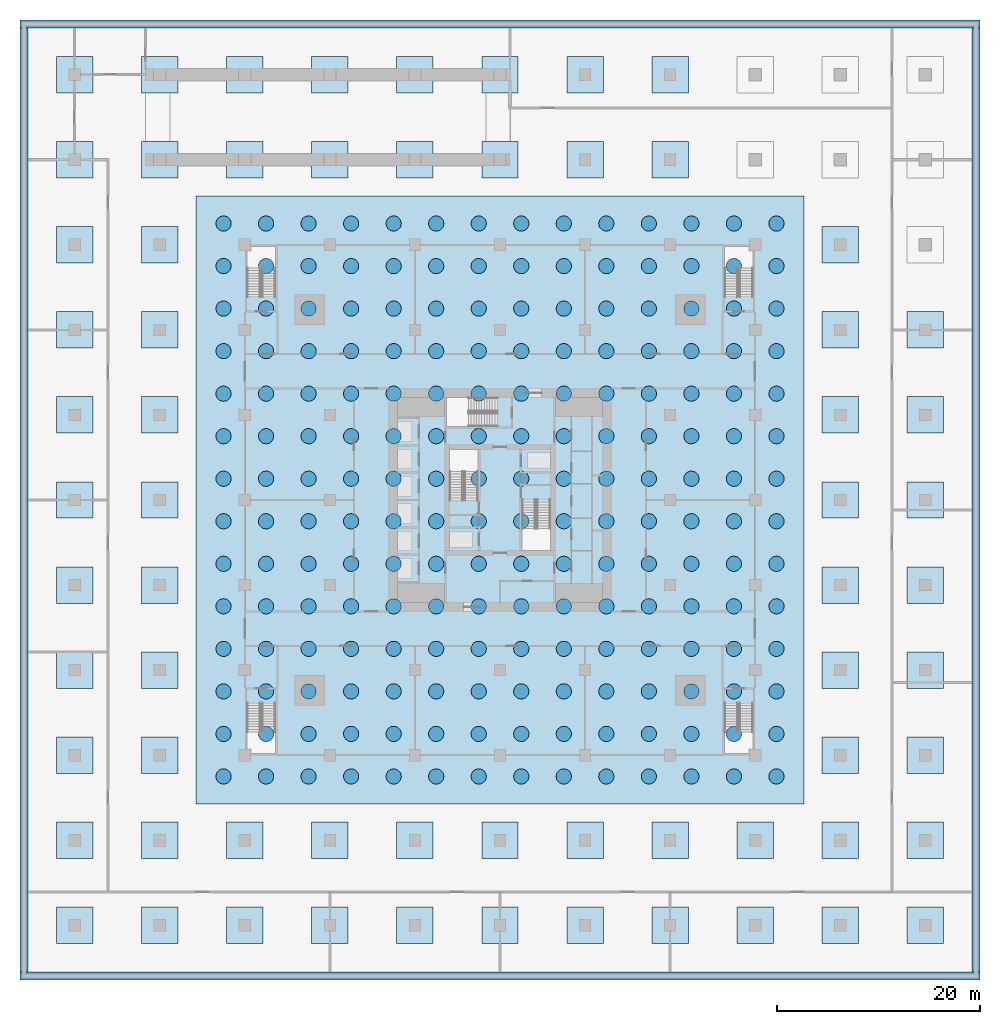
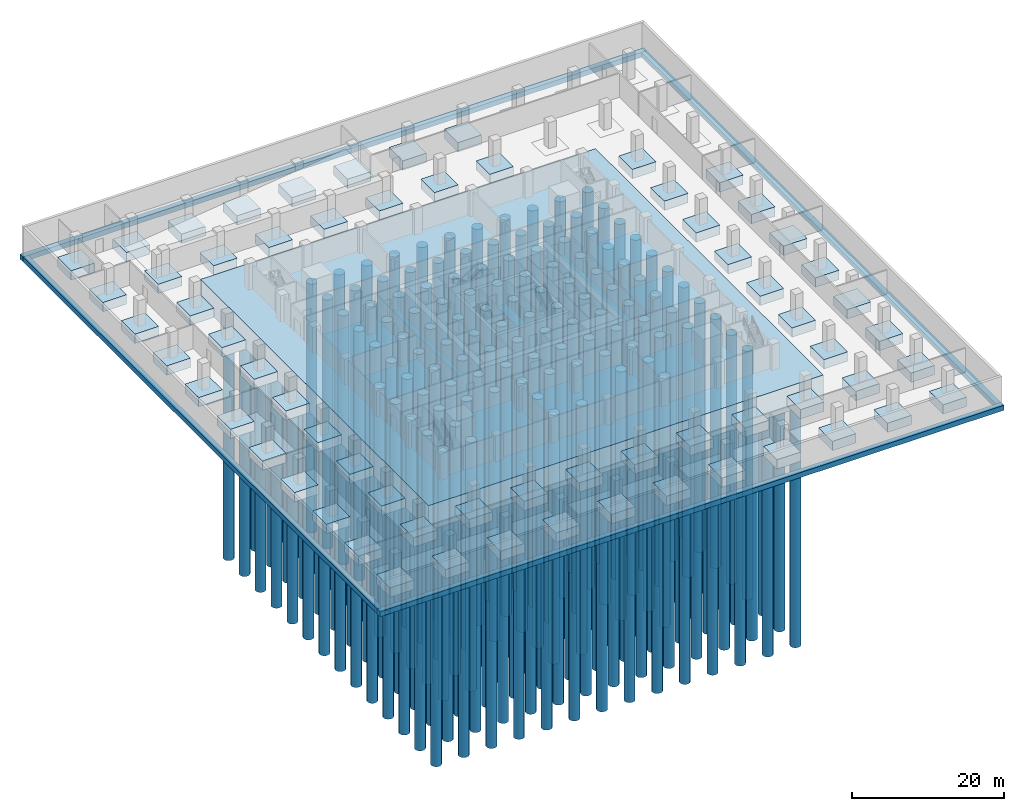
# One storey, part 1 of 19: 196 piles, 70 footings.
"""IFC4 building model written with IfcOpenShell, lengths in metres."""

from ifc_helpers import new_model, si_unit, direction, frame, origin, origin_2d, place, context, subcontext, project, spatial, polyline, rectangle, circle, outline, extrude, material, layer, layer_set, material_profile, profile_set, type_object, element, save


model = new_model("IFC4")

# Units and contexts
model_context = context("Model", 3, precision=1e-05, world=origin(), true_north=direction((0.0, 1.0)))
body_context = subcontext(model_context, "Body", "Model", "MODEL_VIEW")
ifc_project = project(units=[si_unit("LENGTHUNIT", "METRE"), si_unit("AREAUNIT", "SQUARE_METRE"), si_unit("VOLUMEUNIT", "CUBIC_METRE"), si_unit("PLANEANGLEUNIT", "RADIAN"), si_unit("MASSUNIT", "GRAM", prefix="KILO")], contexts=[model_context])

# Site, building, storey
site_placement = place(None, origin())
site = spatial("IfcSite", under=ifc_project, at=site_placement, CompositionType="ELEMENT")
building_placement = place(site_placement, origin())
building = spatial("IfcBuilding", under=site, at=building_placement, Name="Khepri Terraces", CompositionType="ELEMENT")
storey_placement = place(building_placement, frame((0.0, 0.0, -8.39990234375)))
storey = spatial("IfcBuildingStorey", under=building, at=storey_placement, Name="B2", CompositionType="ELEMENT", Elevation=-8.39990234375)

# Piles
ifc_material_1 = material(Name="Concrete C35/45", Category="concrete")
ifc_material_profile = material_profile(ifc_material_1, circle(Radius=0.75, at=origin_2d()), Name="Concrete C35/45", Category="concrete")
ifc_profile_set = profile_set([ifc_material_profile], Name="Concrete C35/45")
pile_type = type_object("IfcPileType", Name="Bored pile BP1", PredefinedType="BORED", material=ifc_profile_set)
for number, where, z_axis, x_axis, name in (
    (1, (-27.300048828125, -27.300048828125, -4.0), (0.0, 0.0, -1.0), (1.0, 0.0, 0.0), "Bored pile BP1 001"),
    (2, (-27.300048828125, -23.10009765625, -4.0), (0.0, 0.0, -1.0), (1.0, 0.0, 0.0), "Bored pile BP1 002"),
    (3, (-27.300048828125, -18.89990234375, -4.0), (0.0, 0.0, -1.0), (1.0, 0.0, 0.0), "Bored pile BP1 003"),
    (4, (-27.300048828125, -14.699951171875, -4.0), (0.0, 0.0, -1.0), (1.0, 0.0, 0.0), "Bored pile BP1 004"),
    (5, (-27.300048828125, -10.5, -4.0), (0.0, 0.0, -1.0), (1.0, 0.0, 0.0), "Bored pile BP1 005"),
    (6, (-27.300048828125, -6.300048828125, -4.0), (0.0, 0.0, -1.0), (1.0, 0.0, 0.0), "Bored pile BP1 006"),
    (7, (-27.300048828125, -2.10009765625, -4.0), (0.0, 0.0, -1.0), (1.0, 0.0, 0.0), "Bored pile BP1 007"),
    (8, (-27.300048828125, 2.10009765625, -4.0), (0.0, 0.0, -1.0), (1.0, 0.0, 0.0), "Bored pile BP1 008"),
    (9, (-27.300048828125, 6.300048828125, -4.0), (0.0, 0.0, -1.0), (1.0, 0.0, 0.0), "Bored pile BP1 009"),
    (10, (-27.300048828125, 10.5, -4.0), (0.0, 0.0, -1.0), (1.0, 0.0, 0.0), "Bored pile BP1 010"),
    (11, (-27.300048828125, 14.699951171875, -4.0), (0.0, 0.0, -1.0), (1.0, 0.0, 0.0), "Bored pile BP1 011"),
    (12, (-27.300048828125, 18.89990234375, -4.0), (0.0, 0.0, -1.0), (1.0, 0.0, 0.0), "Bored pile BP1 012"),
    (13, (-27.300048828125, 23.10009765625, -4.0), (0.0, 0.0, -1.0), (1.0, 0.0, 0.0), "Bored pile BP1 013"),
    (14, (-27.300048828125, 27.300048828125, -4.0), (0.0, 0.0, -1.0), (1.0, 0.0, 0.0), "Bored pile BP1 014"),
    (15, (-23.10009765625, -27.300048828125, -4.0), (0.0, 0.0, -1.0), (1.0, 0.0, 0.0), "Bored pile BP1 015"),
    (16, (-23.10009765625, -23.10009765625, -4.0), (0.0, 0.0, -1.0), (1.0, 0.0, 0.0), "Bored pile BP1 016"),
    (17, (-23.10009765625, -18.89990234375, -4.0), (0.0, 0.0, -1.0), (1.0, 0.0, 0.0), "Bored pile BP1 017"),
    (18, (-23.10009765625, -14.699951171875, -4.0), (0.0, 0.0, -1.0), (1.0, 0.0, 0.0), "Bored pile BP1 018"),
    (19, (-23.10009765625, -10.5, -4.0), (0.0, 0.0, -1.0), (1.0, 0.0, 0.0), "Bored pile BP1 019"),
    (20, (-23.10009765625, -6.300048828125, -4.0), (0.0, 0.0, -1.0), (1.0, 0.0, 0.0), "Bored pile BP1 020"),
    (21, (-23.10009765625, -2.10009765625, -4.0), (0.0, 0.0, -1.0), (1.0, 0.0, 0.0), "Bored pile BP1 021"),
    (22, (-23.10009765625, 2.10009765625, -4.0), (0.0, 0.0, -1.0), (1.0, 0.0, 0.0), "Bored pile BP1 022"),
    (23, (-23.10009765625, 6.300048828125, -4.0), (0.0, 0.0, -1.0), (1.0, 0.0, 0.0), "Bored pile BP1 023"),
    (24, (-23.10009765625, 10.5, -4.0), (0.0, 0.0, -1.0), (1.0, 0.0, 0.0), "Bored pile BP1 024"),
    (25, (-23.10009765625, 14.699951171875, -4.0), (0.0, 0.0, -1.0), (1.0, 0.0, 0.0), "Bored pile BP1 025"),
    (26, (-23.10009765625, 18.89990234375, -4.0), (0.0, 0.0, -1.0), (1.0, 0.0, 0.0), "Bored pile BP1 026"),
    (27, (-23.10009765625, 23.10009765625, -4.0), (0.0, 0.0, -1.0), (1.0, 0.0, 0.0), "Bored pile BP1 027"),
    (28, (-23.10009765625, 27.300048828125, -4.0), (0.0, 0.0, -1.0), (1.0, 0.0, 0.0), "Bored pile BP1 028"),
    (29, (-18.89990234375, -27.300048828125, -4.0), (0.0, 0.0, -1.0), (1.0, 0.0, 0.0), "Bored pile BP1 029"),
    (30, (-18.89990234375, -23.10009765625, -4.0), (0.0, 0.0, -1.0), (1.0, 0.0, 0.0), "Bored pile BP1 030"),
    (31, (-18.89990234375, -18.89990234375, -4.0), (0.0, 0.0, -1.0), (1.0, 0.0, 0.0), "Bored pile BP1 031"),
    (32, (-18.89990234375, -14.699951171875, -4.0), (0.0, 0.0, -1.0), (1.0, 0.0, 0.0), "Bored pile BP1 032"),
    (33, (-18.89990234375, -10.5, -4.0), (0.0, 0.0, -1.0), (1.0, 0.0, 0.0), "Bored pile BP1 033"),
    (34, (-18.89990234375, -6.300048828125, -4.0), (0.0, 0.0, -1.0), (1.0, 0.0, 0.0), "Bored pile BP1 034"),
    (35, (-18.89990234375, -2.10009765625, -4.0), (0.0, 0.0, -1.0), (1.0, 0.0, 0.0), "Bored pile BP1 035"),
    (36, (-18.89990234375, 2.10009765625, -4.0), (0.0, 0.0, -1.0), (1.0, 0.0, 0.0), "Bored pile BP1 036"),
    (37, (-18.89990234375, 6.300048828125, -4.0), (0.0, 0.0, -1.0), (1.0, 0.0, 0.0), "Bored pile BP1 037"),
    (38, (-18.89990234375, 10.5, -4.0), (0.0, 0.0, -1.0), (1.0, 0.0, 0.0), "Bored pile BP1 038"),
    (39, (-18.89990234375, 14.699951171875, -4.0), (0.0, 0.0, -1.0), (1.0, 0.0, 0.0), "Bored pile BP1 039"),
    (40, (-18.89990234375, 18.89990234375, -4.0), (0.0, 0.0, -1.0), (1.0, 0.0, 0.0), "Bored pile BP1 040"),
    (41, (-18.89990234375, 23.10009765625, -4.0), (0.0, 0.0, -1.0), (1.0, 0.0, 0.0), "Bored pile BP1 041"),
    (42, (-18.89990234375, 27.300048828125, -4.0), (0.0, 0.0, -1.0), (1.0, 0.0, 0.0), "Bored pile BP1 042"),
    (43, (-14.699951171875, -27.300048828125, -4.0), (0.0, 0.0, -1.0), (1.0, 0.0, 0.0), "Bored pile BP1 043"),
    (44, (-14.699951171875, -23.10009765625, -4.0), (0.0, 0.0, -1.0), (1.0, 0.0, 0.0), "Bored pile BP1 044"),
    (45, (-14.699951171875, -18.89990234375, -4.0), (0.0, 0.0, -1.0), (1.0, 0.0, 0.0), "Bored pile BP1 045"),
    (46, (-14.699951171875, -14.699951171875, -4.0), (0.0, 0.0, -1.0), (1.0, 0.0, 0.0), "Bored pile BP1 046"),
    (47, (-14.699951171875, -10.5, -4.0), (0.0, 0.0, -1.0), (1.0, 0.0, 0.0), "Bored pile BP1 047"),
    (48, (-14.699951171875, -6.300048828125, -4.0), (0.0, 0.0, -1.0), (1.0, 0.0, 0.0), "Bored pile BP1 048"),
    (49, (-14.699951171875, -2.10009765625, -4.0), (0.0, 0.0, -1.0), (1.0, 0.0, 0.0), "Bored pile BP1 049"),
    (50, (-14.699951171875, 2.10009765625, -4.0), (0.0, 0.0, -1.0), (1.0, 0.0, 0.0), "Bored pile BP1 050"),
    (51, (-14.699951171875, 6.300048828125, -4.0), (0.0, 0.0, -1.0), (1.0, 0.0, 0.0), "Bored pile BP1 051"),
    (52, (-14.699951171875, 10.5, -4.0), (0.0, 0.0, -1.0), (1.0, 0.0, 0.0), "Bored pile BP1 052"),
    (53, (-14.699951171875, 14.699951171875, -4.0), (0.0, 0.0, -1.0), (1.0, 0.0, 0.0), "Bored pile BP1 053"),
    (54, (-14.699951171875, 18.89990234375, -4.0), (0.0, 0.0, -1.0), (1.0, 0.0, 0.0), "Bored pile BP1 054"),
    (55, (-14.699951171875, 23.10009765625, -4.0), (0.0, 0.0, -1.0), (1.0, 0.0, 0.0), "Bored pile BP1 055"),
    (56, (-14.699951171875, 27.300048828125, -4.0), (0.0, 0.0, -1.0), (1.0, 0.0, 0.0), "Bored pile BP1 056"),
    (57, (-10.5, -27.300048828125, -4.0), (0.0, 0.0, -1.0), (1.0, 0.0, 0.0), "Bored pile BP1 057"),
    (58, (-10.5, -23.10009765625, -4.0), (0.0, 0.0, -1.0), (1.0, 0.0, 0.0), "Bored pile BP1 058"),
    (59, (-10.5, -18.89990234375, -4.0), (0.0, 0.0, -1.0), (1.0, 0.0, 0.0), "Bored pile BP1 059"),
    (60, (-10.5, -14.699951171875, -4.0), (0.0, 0.0, -1.0), (1.0, 0.0, 0.0), "Bored pile BP1 060"),
    (61, (-10.5, -10.5, -4.0), (0.0, 0.0, -1.0), (1.0, 0.0, 0.0), "Bored pile BP1 061"),
    (62, (-10.5, -6.300048828125, -4.0), (0.0, 0.0, -1.0), (1.0, 0.0, 0.0), "Bored pile BP1 062"),
    (63, (-10.5, -2.10009765625, -4.0), (0.0, 0.0, -1.0), (1.0, 0.0, 0.0), "Bored pile BP1 063"),
    (64, (-10.5, 2.10009765625, -4.0), (0.0, 0.0, -1.0), (1.0, 0.0, 0.0), "Bored pile BP1 064"),
    (65, (-10.5, 6.300048828125, -4.0), (0.0, 0.0, -1.0), (1.0, 0.0, 0.0), "Bored pile BP1 065"),
    (66, (-10.5, 10.5, -4.0), (0.0, 0.0, -1.0), (1.0, 0.0, 0.0), "Bored pile BP1 066"),
    (67, (-10.5, 14.699951171875, -4.0), (0.0, 0.0, -1.0), (1.0, 0.0, 0.0), "Bored pile BP1 067"),
    (68, (-10.5, 18.89990234375, -4.0), (0.0, 0.0, -1.0), (1.0, 0.0, 0.0), "Bored pile BP1 068"),
    (69, (-10.5, 23.10009765625, -4.0), (0.0, 0.0, -1.0), (1.0, 0.0, 0.0), "Bored pile BP1 069"),
    (70, (-10.5, 27.300048828125, -4.0), (0.0, 0.0, -1.0), (1.0, 0.0, 0.0), "Bored pile BP1 070"),
    (71, (-6.300048828125, -27.300048828125, -4.0), (0.0, 0.0, -1.0), (1.0, 0.0, 0.0), "Bored pile BP1 071"),
    (72, (-6.300048828125, -23.10009765625, -4.0), (0.0, 0.0, -1.0), (1.0, 0.0, 0.0), "Bored pile BP1 072"),
    (73, (-6.300048828125, -18.89990234375, -4.0), (0.0, 0.0, -1.0), (1.0, 0.0, 0.0), "Bored pile BP1 073"),
    (74, (-6.300048828125, -14.699951171875, -4.0), (0.0, 0.0, -1.0), (1.0, 0.0, 0.0), "Bored pile BP1 074"),
    (75, (-6.300048828125, -10.5, -4.0), (0.0, 0.0, -1.0), (1.0, 0.0, 0.0), "Bored pile BP1 075"),
    (76, (-6.300048828125, -6.300048828125, -4.0), (0.0, 0.0, -1.0), (1.0, 0.0, 0.0), "Bored pile BP1 076"),
    (77, (-6.300048828125, -2.10009765625, -4.0), (0.0, 0.0, -1.0), (1.0, 0.0, 0.0), "Bored pile BP1 077"),
    (78, (-6.300048828125, 2.10009765625, -4.0), (0.0, 0.0, -1.0), (1.0, 0.0, 0.0), "Bored pile BP1 078"),
    (79, (-6.300048828125, 6.300048828125, -4.0), (0.0, 0.0, -1.0), (1.0, 0.0, 0.0), "Bored pile BP1 079"),
    (80, (-6.300048828125, 10.5, -4.0), (0.0, 0.0, -1.0), (1.0, 0.0, 0.0), "Bored pile BP1 080"),
    (81, (-6.300048828125, 14.699951171875, -4.0), (0.0, 0.0, -1.0), (1.0, 0.0, 0.0), "Bored pile BP1 081"),
    (82, (-6.300048828125, 18.89990234375, -4.0), (0.0, 0.0, -1.0), (1.0, 0.0, 0.0), "Bored pile BP1 082"),
    (83, (-6.300048828125, 23.10009765625, -4.0), (0.0, 0.0, -1.0), (1.0, 0.0, 0.0), "Bored pile BP1 083"),
    (84, (-6.300048828125, 27.300048828125, -4.0), (0.0, 0.0, -1.0), (1.0, 0.0, 0.0), "Bored pile BP1 084"),
    (85, (-2.10009765625, -27.300048828125, -4.0), (0.0, 0.0, -1.0), (1.0, 0.0, 0.0), "Bored pile BP1 085"),
    (86, (-2.10009765625, -23.10009765625, -4.0), (0.0, 0.0, -1.0), (1.0, 0.0, 0.0), "Bored pile BP1 086"),
    (87, (-2.10009765625, -18.89990234375, -4.0), (0.0, 0.0, -1.0), (1.0, 0.0, 0.0), "Bored pile BP1 087"),
    (88, (-2.10009765625, -14.699951171875, -4.0), (0.0, 0.0, -1.0), (1.0, 0.0, 0.0), "Bored pile BP1 088"),
    (89, (-2.10009765625, -10.5, -4.0), (0.0, 0.0, -1.0), (1.0, 0.0, 0.0), "Bored pile BP1 089"),
    (90, (-2.10009765625, -6.300048828125, -4.0), (0.0, 0.0, -1.0), (1.0, 0.0, 0.0), "Bored pile BP1 090"),
    (91, (-2.10009765625, -2.10009765625, -4.0), (0.0, 0.0, -1.0), (1.0, 0.0, 0.0), "Bored pile BP1 091"),
    (92, (-2.10009765625, 2.10009765625, -4.0), (0.0, 0.0, -1.0), (1.0, 0.0, 0.0), "Bored pile BP1 092"),
    (93, (-2.10009765625, 6.300048828125, -4.0), (0.0, 0.0, -1.0), (1.0, 0.0, 0.0), "Bored pile BP1 093"),
    (94, (-2.10009765625, 10.5, -4.0), (0.0, 0.0, -1.0), (1.0, 0.0, 0.0), "Bored pile BP1 094"),
    (95, (-2.10009765625, 14.699951171875, -4.0), (0.0, 0.0, -1.0), (1.0, 0.0, 0.0), "Bored pile BP1 095"),
    (96, (-2.10009765625, 18.89990234375, -4.0), (0.0, 0.0, -1.0), (1.0, 0.0, 0.0), "Bored pile BP1 096"),
    (97, (-2.10009765625, 23.10009765625, -4.0), (0.0, 0.0, -1.0), (1.0, 0.0, 0.0), "Bored pile BP1 097"),
    (98, (-2.10009765625, 27.300048828125, -4.0), (0.0, 0.0, -1.0), (1.0, 0.0, 0.0), "Bored pile BP1 098"),
    (99, (2.10009765625, -27.300048828125, -4.0), (0.0, 0.0, -1.0), (1.0, 0.0, 0.0), "Bored pile BP1 099"),
    (100, (2.10009765625, -23.10009765625, -4.0), (0.0, 0.0, -1.0), (1.0, 0.0, 0.0), "Bored pile BP1 100"),
    (101, (2.10009765625, -18.89990234375, -4.0), (0.0, 0.0, -1.0), (1.0, 0.0, 0.0), "Bored pile BP1 101"),
    (102, (2.10009765625, -14.699951171875, -4.0), (0.0, 0.0, -1.0), (1.0, 0.0, 0.0), "Bored pile BP1 102"),
    (103, (2.10009765625, -10.5, -4.0), (0.0, 0.0, -1.0), (1.0, 0.0, 0.0), "Bored pile BP1 103"),
    (104, (2.10009765625, -6.300048828125, -4.0), (0.0, 0.0, -1.0), (1.0, 0.0, 0.0), "Bored pile BP1 104"),
    (105, (2.10009765625, -2.10009765625, -4.0), (0.0, 0.0, -1.0), (1.0, 0.0, 0.0), "Bored pile BP1 105"),
    (106, (2.10009765625, 2.10009765625, -4.0), (0.0, 0.0, -1.0), (1.0, 0.0, 0.0), "Bored pile BP1 106"),
    (107, (2.10009765625, 6.300048828125, -4.0), (0.0, 0.0, -1.0), (1.0, 0.0, 0.0), "Bored pile BP1 107"),
    (108, (2.10009765625, 10.5, -4.0), (0.0, 0.0, -1.0), (1.0, 0.0, 0.0), "Bored pile BP1 108"),
    (109, (2.10009765625, 14.699951171875, -4.0), (0.0, 0.0, -1.0), (1.0, 0.0, 0.0), "Bored pile BP1 109"),
    (110, (2.10009765625, 18.89990234375, -4.0), (0.0, 0.0, -1.0), (1.0, 0.0, 0.0), "Bored pile BP1 110"),
    (111, (2.10009765625, 23.10009765625, -4.0), (0.0, 0.0, -1.0), (1.0, 0.0, 0.0), "Bored pile BP1 111"),
    (112, (2.10009765625, 27.300048828125, -4.0), (0.0, 0.0, -1.0), (1.0, 0.0, 0.0), "Bored pile BP1 112"),
    (113, (6.300048828125, -27.300048828125, -4.0), (0.0, 0.0, -1.0), (1.0, 0.0, 0.0), "Bored pile BP1 113"),
    (114, (6.300048828125, -23.10009765625, -4.0), (0.0, 0.0, -1.0), (1.0, 0.0, 0.0), "Bored pile BP1 114"),
    (115, (6.300048828125, -18.89990234375, -4.0), (0.0, 0.0, -1.0), (1.0, 0.0, 0.0), "Bored pile BP1 115"),
    (116, (6.300048828125, -14.699951171875, -4.0), (0.0, 0.0, -1.0), (1.0, 0.0, 0.0), "Bored pile BP1 116"),
    (117, (6.300048828125, -10.5, -4.0), (0.0, 0.0, -1.0), (1.0, 0.0, 0.0), "Bored pile BP1 117"),
    (118, (6.300048828125, -6.300048828125, -4.0), (0.0, 0.0, -1.0), (1.0, 0.0, 0.0), "Bored pile BP1 118"),
    (119, (6.300048828125, -2.10009765625, -4.0), (0.0, 0.0, -1.0), (1.0, 0.0, 0.0), "Bored pile BP1 119"),
    (120, (6.300048828125, 2.10009765625, -4.0), (0.0, 0.0, -1.0), (1.0, 0.0, 0.0), "Bored pile BP1 120"),
    (121, (6.300048828125, 6.300048828125, -4.0), (0.0, 0.0, -1.0), (1.0, 0.0, 0.0), "Bored pile BP1 121"),
    (122, (6.300048828125, 10.5, -4.0), (0.0, 0.0, -1.0), (1.0, 0.0, 0.0), "Bored pile BP1 122"),
    (123, (6.300048828125, 14.699951171875, -4.0), (0.0, 0.0, -1.0), (1.0, 0.0, 0.0), "Bored pile BP1 123"),
    (124, (6.300048828125, 18.89990234375, -4.0), (0.0, 0.0, -1.0), (1.0, 0.0, 0.0), "Bored pile BP1 124"),
    (125, (6.300048828125, 23.10009765625, -4.0), (0.0, 0.0, -1.0), (1.0, 0.0, 0.0), "Bored pile BP1 125"),
    (126, (6.300048828125, 27.300048828125, -4.0), (0.0, 0.0, -1.0), (1.0, 0.0, 0.0), "Bored pile BP1 126"),
    (127, (10.5, -27.300048828125, -4.0), (0.0, 0.0, -1.0), (1.0, 0.0, 0.0), "Bored pile BP1 127"),
    (128, (10.5, -23.10009765625, -4.0), (0.0, 0.0, -1.0), (1.0, 0.0, 0.0), "Bored pile BP1 128"),
    (129, (10.5, -18.89990234375, -4.0), (0.0, 0.0, -1.0), (1.0, 0.0, 0.0), "Bored pile BP1 129"),
    (130, (10.5, -14.699951171875, -4.0), (0.0, 0.0, -1.0), (1.0, 0.0, 0.0), "Bored pile BP1 130"),
    (131, (10.5, -10.5, -4.0), (0.0, 0.0, -1.0), (1.0, 0.0, 0.0), "Bored pile BP1 131"),
    (132, (10.5, -6.300048828125, -4.0), (0.0, 0.0, -1.0), (1.0, 0.0, 0.0), "Bored pile BP1 132"),
    (133, (10.5, -2.10009765625, -4.0), (0.0, 0.0, -1.0), (1.0, 0.0, 0.0), "Bored pile BP1 133"),
    (134, (10.5, 2.10009765625, -4.0), (0.0, 0.0, -1.0), (1.0, 0.0, 0.0), "Bored pile BP1 134"),
    (135, (10.5, 6.300048828125, -4.0), (0.0, 0.0, -1.0), (1.0, 0.0, 0.0), "Bored pile BP1 135"),
    (136, (10.5, 10.5, -4.0), (0.0, 0.0, -1.0), (1.0, 0.0, 0.0), "Bored pile BP1 136"),
    (137, (10.5, 14.699951171875, -4.0), (0.0, 0.0, -1.0), (1.0, 0.0, 0.0), "Bored pile BP1 137"),
    (138, (10.5, 18.89990234375, -4.0), (0.0, 0.0, -1.0), (1.0, 0.0, 0.0), "Bored pile BP1 138"),
    (139, (10.5, 23.10009765625, -4.0), (0.0, 0.0, -1.0), (1.0, 0.0, 0.0), "Bored pile BP1 139"),
    (140, (10.5, 27.300048828125, -4.0), (0.0, 0.0, -1.0), (1.0, 0.0, 0.0), "Bored pile BP1 140"),
    (141, (14.699951171875, -27.300048828125, -4.0), (0.0, 0.0, -1.0), (1.0, 0.0, 0.0), "Bored pile BP1 141"),
    (142, (14.699951171875, -23.10009765625, -4.0), (0.0, 0.0, -1.0), (1.0, 0.0, 0.0), "Bored pile BP1 142"),
    (143, (14.699951171875, -18.89990234375, -4.0), (0.0, 0.0, -1.0), (1.0, 0.0, 0.0), "Bored pile BP1 143"),
    (144, (14.699951171875, -14.699951171875, -4.0), (0.0, 0.0, -1.0), (1.0, 0.0, 0.0), "Bored pile BP1 144"),
    (145, (14.699951171875, -10.5, -4.0), (0.0, 0.0, -1.0), (1.0, 0.0, 0.0), "Bored pile BP1 145"),
    (146, (14.699951171875, -6.300048828125, -4.0), (0.0, 0.0, -1.0), (1.0, 0.0, 0.0), "Bored pile BP1 146"),
    (147, (14.699951171875, -2.10009765625, -4.0), (0.0, 0.0, -1.0), (1.0, 0.0, 0.0), "Bored pile BP1 147"),
    (148, (14.699951171875, 2.10009765625, -4.0), (0.0, 0.0, -1.0), (1.0, 0.0, 0.0), "Bored pile BP1 148"),
    (149, (14.699951171875, 6.300048828125, -4.0), (0.0, 0.0, -1.0), (1.0, 0.0, 0.0), "Bored pile BP1 149"),
    (150, (14.699951171875, 10.5, -4.0), (0.0, 0.0, -1.0), (1.0, 0.0, 0.0), "Bored pile BP1 150"),
    (151, (14.699951171875, 14.699951171875, -4.0), (0.0, 0.0, -1.0), (1.0, 0.0, 0.0), "Bored pile BP1 151"),
    (152, (14.699951171875, 18.89990234375, -4.0), (0.0, 0.0, -1.0), (1.0, 0.0, 0.0), "Bored pile BP1 152"),
    (153, (14.699951171875, 23.10009765625, -4.0), (0.0, 0.0, -1.0), (1.0, 0.0, 0.0), "Bored pile BP1 153"),
    (154, (14.699951171875, 27.300048828125, -4.0), (0.0, 0.0, -1.0), (1.0, 0.0, 0.0), "Bored pile BP1 154"),
    (155, (18.89990234375, -27.300048828125, -4.0), (0.0, 0.0, -1.0), (1.0, 0.0, 0.0), "Bored pile BP1 155"),
    (156, (18.89990234375, -23.10009765625, -4.0), (0.0, 0.0, -1.0), (1.0, 0.0, 0.0), "Bored pile BP1 156"),
    (157, (18.89990234375, -18.89990234375, -4.0), (0.0, 0.0, -1.0), (1.0, 0.0, 0.0), "Bored pile BP1 157"),
    (158, (18.89990234375, -14.699951171875, -4.0), (0.0, 0.0, -1.0), (1.0, 0.0, 0.0), "Bored pile BP1 158"),
    (159, (18.89990234375, -10.5, -4.0), (0.0, 0.0, -1.0), (1.0, 0.0, 0.0), "Bored pile BP1 159"),
    (160, (18.89990234375, -6.300048828125, -4.0), (0.0, 0.0, -1.0), (1.0, 0.0, 0.0), "Bored pile BP1 160"),
    (161, (18.89990234375, -2.10009765625, -4.0), (0.0, 0.0, -1.0), (1.0, 0.0, 0.0), "Bored pile BP1 161"),
    (162, (18.89990234375, 2.10009765625, -4.0), (0.0, 0.0, -1.0), (1.0, 0.0, 0.0), "Bored pile BP1 162"),
    (163, (18.89990234375, 6.300048828125, -4.0), (0.0, 0.0, -1.0), (1.0, 0.0, 0.0), "Bored pile BP1 163"),
    (164, (18.89990234375, 10.5, -4.0), (0.0, 0.0, -1.0), (1.0, 0.0, 0.0), "Bored pile BP1 164"),
    (165, (18.89990234375, 14.699951171875, -4.0), (0.0, 0.0, -1.0), (1.0, 0.0, 0.0), "Bored pile BP1 165"),
    (166, (18.89990234375, 18.89990234375, -4.0), (0.0, 0.0, -1.0), (1.0, 0.0, 0.0), "Bored pile BP1 166"),
    (167, (18.89990234375, 23.10009765625, -4.0), (0.0, 0.0, -1.0), (1.0, 0.0, 0.0), "Bored pile BP1 167"),
    (168, (18.89990234375, 27.300048828125, -4.0), (0.0, 0.0, -1.0), (1.0, 0.0, 0.0), "Bored pile BP1 168"),
    (169, (23.10009765625, -27.300048828125, -4.0), (0.0, 0.0, -1.0), (1.0, 0.0, 0.0), "Bored pile BP1 169"),
    (170, (23.10009765625, -23.10009765625, -4.0), (0.0, 0.0, -1.0), (1.0, 0.0, 0.0), "Bored pile BP1 170"),
    (171, (23.10009765625, -18.89990234375, -4.0), (0.0, 0.0, -1.0), (1.0, 0.0, 0.0), "Bored pile BP1 171"),
    (172, (23.10009765625, -14.699951171875, -4.0), (0.0, 0.0, -1.0), (1.0, 0.0, 0.0), "Bored pile BP1 172"),
    (173, (23.10009765625, -10.5, -4.0), (0.0, 0.0, -1.0), (1.0, 0.0, 0.0), "Bored pile BP1 173"),
    (174, (23.10009765625, -6.300048828125, -4.0), (0.0, 0.0, -1.0), (1.0, 0.0, 0.0), "Bored pile BP1 174"),
    (175, (23.10009765625, -2.10009765625, -4.0), (0.0, 0.0, -1.0), (1.0, 0.0, 0.0), "Bored pile BP1 175"),
    (176, (23.10009765625, 2.10009765625, -4.0), (0.0, 0.0, -1.0), (1.0, 0.0, 0.0), "Bored pile BP1 176"),
    (177, (23.10009765625, 6.300048828125, -4.0), (0.0, 0.0, -1.0), (1.0, 0.0, 0.0), "Bored pile BP1 177"),
    (178, (23.10009765625, 10.5, -4.0), (0.0, 0.0, -1.0), (1.0, 0.0, 0.0), "Bored pile BP1 178"),
    (179, (23.10009765625, 14.699951171875, -4.0), (0.0, 0.0, -1.0), (1.0, 0.0, 0.0), "Bored pile BP1 179"),
    (180, (23.10009765625, 18.89990234375, -4.0), (0.0, 0.0, -1.0), (1.0, 0.0, 0.0), "Bored pile BP1 180"),
    (181, (23.10009765625, 23.10009765625, -4.0), (0.0, 0.0, -1.0), (1.0, 0.0, 0.0), "Bored pile BP1 181"),
    (182, (23.10009765625, 27.300048828125, -4.0), (0.0, 0.0, -1.0), (1.0, 0.0, 0.0), "Bored pile BP1 182"),
    (183, (27.300048828125, -27.300048828125, -4.0), (0.0, 0.0, -1.0), (1.0, 0.0, 0.0), "Bored pile BP1 183"),
    (184, (27.300048828125, -23.10009765625, -4.0), (0.0, 0.0, -1.0), (1.0, 0.0, 0.0), "Bored pile BP1 184"),
    (185, (27.300048828125, -18.89990234375, -4.0), (0.0, 0.0, -1.0), (1.0, 0.0, 0.0), "Bored pile BP1 185"),
    (186, (27.300048828125, -14.699951171875, -4.0), (0.0, 0.0, -1.0), (1.0, 0.0, 0.0), "Bored pile BP1 186"),
    (187, (27.300048828125, -10.5, -4.0), (0.0, 0.0, -1.0), (1.0, 0.0, 0.0), "Bored pile BP1 187"),
    (188, (27.300048828125, -6.300048828125, -4.0), (0.0, 0.0, -1.0), (1.0, 0.0, 0.0), "Bored pile BP1 188"),
    (189, (27.300048828125, -2.10009765625, -4.0), (0.0, 0.0, -1.0), (1.0, 0.0, 0.0), "Bored pile BP1 189"),
    (190, (27.300048828125, 2.10009765625, -4.0), (0.0, 0.0, -1.0), (1.0, 0.0, 0.0), "Bored pile BP1 190"),
    (191, (27.300048828125, 6.300048828125, -4.0), (0.0, 0.0, -1.0), (1.0, 0.0, 0.0), "Bored pile BP1 191"),
    (192, (27.300048828125, 10.5, -4.0), (0.0, 0.0, -1.0), (1.0, 0.0, 0.0), "Bored pile BP1 192"),
    (193, (27.300048828125, 14.699951171875, -4.0), (0.0, 0.0, -1.0), (1.0, 0.0, 0.0), "Bored pile BP1 193"),
    (194, (27.300048828125, 18.89990234375, -4.0), (0.0, 0.0, -1.0), (1.0, 0.0, 0.0), "Bored pile BP1 194"),
    (195, (27.300048828125, 23.10009765625, -4.0), (0.0, 0.0, -1.0), (1.0, 0.0, 0.0), "Bored pile BP1 195"),
    (196, (27.300048828125, 27.300048828125, -4.0), (0.0, 0.0, -1.0), (1.0, 0.0, 0.0), "Bored pile BP1 196"),
):
    element("IfcPile", number, at=place(storey_placement, frame(where, z_axis=z_axis, x_axis=x_axis)), inside=storey, type_object=pile_type, Name=name, PredefinedType="BORED", context=body_context, shape_type="SweptSolid", body=[
        extrude(circle(Radius=0.75, at=origin_2d()), origin(), (0.0, 0.0, 1.0), 40.0),
    ])

# Footings
ifc_material_2 = material(Name="Concrete C45/55", Category="concrete")
footing_type_1 = type_object("IfcFootingType", Name="Pad footing PF1", PredefinedType="PAD_FOOTING", material=ifc_material_2)
for number, where, z_axis, x_axis, name in (
    (197, (-42.0, -42.0, -1.5), (0.0, 0.0, 1.0), (1.0, 0.0, 0.0), "Pad footing PF1 G-420-420"),
    (198, (-42.0, -33.60009765625, -1.5), (0.0, 0.0, 1.0), (1.0, 0.0, 0.0), "Pad footing PF1 G-420-336"),
    (199, (-42.0, -25.199951171875, -1.5), (0.0, 0.0, 1.0), (1.0, 0.0, 0.0), "Pad footing PF1 G-420-252"),
    (200, (-42.0, -16.800048828125, -1.5), (0.0, 0.0, 1.0), (1.0, 0.0, 0.0), "Pad footing PF1 G-420-168"),
    (201, (-42.0, -8.39990234375, -1.5), (0.0, 0.0, 1.0), (1.0, 0.0, 0.0), "Pad footing PF1 G-420-084"),
    (202, (-42.0, 0.0, -1.5), (0.0, 0.0, 1.0), (1.0, 0.0, 0.0), "Pad footing PF1 G-420+000"),
    (203, (-42.0, 8.39990234375, -1.5), (0.0, 0.0, 1.0), (1.0, 0.0, 0.0), "Pad footing PF1 G-420+084"),
    (204, (-42.0, 16.800048828125, -1.5), (0.0, 0.0, 1.0), (1.0, 0.0, 0.0), "Pad footing PF1 G-420+168"),
    (205, (-42.0, 25.199951171875, -1.5), (0.0, 0.0, 1.0), (1.0, 0.0, 0.0), "Pad footing PF1 G-420+252"),
    (206, (-42.0, 33.60009765625, -1.5), (0.0, 0.0, 1.0), (1.0, 0.0, 0.0), "Pad footing PF1 G-420+336"),
    (207, (-42.0, 42.0, -1.5), (0.0, 0.0, 1.0), (1.0, 0.0, 0.0), "Pad footing PF1 G-420+420"),
    (208, (-33.60009765625, -42.0, -1.5), (0.0, 0.0, 1.0), (1.0, 0.0, 0.0), "Pad footing PF1 G-336-420"),
    (209, (-33.60009765625, -33.60009765625, -1.5), (0.0, 0.0, 1.0), (1.0, 0.0, 0.0), "Pad footing PF1 G-336-336"),
    (210, (-33.60009765625, -25.199951171875, -1.5), (0.0, 0.0, 1.0), (1.0, 0.0, 0.0), "Pad footing PF1 G-336-252"),
    (211, (-33.60009765625, -16.800048828125, -1.5), (0.0, 0.0, 1.0), (1.0, 0.0, 0.0), "Pad footing PF1 G-336-168"),
    (212, (-33.60009765625, -8.39990234375, -1.5), (0.0, 0.0, 1.0), (1.0, 0.0, 0.0), "Pad footing PF1 G-336-084"),
    (213, (-33.60009765625, 0.0, -1.5), (0.0, 0.0, 1.0), (1.0, 0.0, 0.0), "Pad footing PF1 G-336+000"),
    (214, (-33.60009765625, 8.39990234375, -1.5), (0.0, 0.0, 1.0), (1.0, 0.0, 0.0), "Pad footing PF1 G-336+084"),
    (215, (-33.60009765625, 16.800048828125, -1.5), (0.0, 0.0, 1.0), (1.0, 0.0, 0.0), "Pad footing PF1 G-336+168"),
    (216, (-33.60009765625, 25.199951171875, -1.5), (0.0, 0.0, 1.0), (1.0, 0.0, 0.0), "Pad footing PF1 G-336+252"),
    (217, (-33.60009765625, 33.60009765625, -1.5), (0.0, 0.0, 1.0), (1.0, 0.0, 0.0), "Pad footing PF1 G-336+336"),
    (218, (-33.60009765625, 42.0, -1.5), (0.0, 0.0, 1.0), (1.0, 0.0, 0.0), "Pad footing PF1 G-336+420"),
    (219, (-25.199951171875, -42.0, -1.5), (0.0, 0.0, 1.0), (1.0, 0.0, 0.0), "Pad footing PF1 G-252-420"),
    (220, (-25.199951171875, -33.60009765625, -1.5), (0.0, 0.0, 1.0), (1.0, 0.0, 0.0), "Pad footing PF1 G-252-336"),
    (221, (-25.199951171875, 33.60009765625, -1.5), (0.0, 0.0, 1.0), (1.0, 0.0, 0.0), "Pad footing PF1 G-252+336"),
    (222, (-25.199951171875, 42.0, -1.5), (0.0, 0.0, 1.0), (1.0, 0.0, 0.0), "Pad footing PF1 G-252+420"),
    (223, (-16.800048828125, -42.0, -1.5), (0.0, 0.0, 1.0), (1.0, 0.0, 0.0), "Pad footing PF1 G-168-420"),
    (224, (-16.800048828125, -33.60009765625, -1.5), (0.0, 0.0, 1.0), (1.0, 0.0, 0.0), "Pad footing PF1 G-168-336"),
    (225, (-16.800048828125, 33.60009765625, -1.5), (0.0, 0.0, 1.0), (1.0, 0.0, 0.0), "Pad footing PF1 G-168+336"),
    (226, (-16.800048828125, 42.0, -1.5), (0.0, 0.0, 1.0), (1.0, 0.0, 0.0), "Pad footing PF1 G-168+420"),
    (227, (-8.39990234375, -42.0, -1.5), (0.0, 0.0, 1.0), (1.0, 0.0, 0.0), "Pad footing PF1 G-084-420"),
    (228, (-8.39990234375, -33.60009765625, -1.5), (0.0, 0.0, 1.0), (1.0, 0.0, 0.0), "Pad footing PF1 G-084-336"),
    (229, (-8.39990234375, 33.60009765625, -1.5), (0.0, 0.0, 1.0), (1.0, 0.0, 0.0), "Pad footing PF1 G-084+336"),
    (230, (-8.39990234375, 42.0, -1.5), (0.0, 0.0, 1.0), (1.0, 0.0, 0.0), "Pad footing PF1 G-084+420"),
    (231, (0.0, -42.0, -1.5), (0.0, 0.0, 1.0), (1.0, 0.0, 0.0), "Pad footing PF1 G+000-420"),
    (232, (0.0, -33.60009765625, -1.5), (0.0, 0.0, 1.0), (1.0, 0.0, 0.0), "Pad footing PF1 G+000-336"),
    (233, (0.0, 33.60009765625, -1.5), (0.0, 0.0, 1.0), (1.0, 0.0, 0.0), "Pad footing PF1 G+000+336"),
    (234, (0.0, 42.0, -1.5), (0.0, 0.0, 1.0), (1.0, 0.0, 0.0), "Pad footing PF1 G+000+420"),
    (235, (8.39990234375, -42.0, -1.5), (0.0, 0.0, 1.0), (1.0, 0.0, 0.0), "Pad footing PF1 G+084-420"),
    (236, (8.39990234375, -33.60009765625, -1.5), (0.0, 0.0, 1.0), (1.0, 0.0, 0.0), "Pad footing PF1 G+084-336"),
    (237, (8.39990234375, 33.60009765625, -1.5), (0.0, 0.0, 1.0), (1.0, 0.0, 0.0), "Pad footing PF1 G+084+336"),
    (238, (8.39990234375, 42.0, -1.5), (0.0, 0.0, 1.0), (1.0, 0.0, 0.0), "Pad footing PF1 G+084+420"),
    (239, (16.800048828125, -42.0, -1.5), (0.0, 0.0, 1.0), (1.0, 0.0, 0.0), "Pad footing PF1 G+168-420"),
    (240, (16.800048828125, -33.60009765625, -1.5), (0.0, 0.0, 1.0), (1.0, 0.0, 0.0), "Pad footing PF1 G+168-336"),
    (241, (16.800048828125, 33.60009765625, -1.5), (0.0, 0.0, 1.0), (1.0, 0.0, 0.0), "Pad footing PF1 G+168+336"),
    (242, (16.800048828125, 42.0, -1.5), (0.0, 0.0, 1.0), (1.0, 0.0, 0.0), "Pad footing PF1 G+168+420"),
    (243, (25.199951171875, -42.0, -1.5), (0.0, 0.0, 1.0), (1.0, 0.0, 0.0), "Pad footing PF1 G+252-420"),
    (244, (25.199951171875, -33.60009765625, -1.5), (0.0, 0.0, 1.0), (1.0, 0.0, 0.0), "Pad footing PF1 G+252-336"),
    (245, (33.60009765625, -42.0, -1.5), (0.0, 0.0, 1.0), (1.0, 0.0, 0.0), "Pad footing PF1 G+336-420"),
    (246, (33.60009765625, -33.60009765625, -1.5), (0.0, 0.0, 1.0), (1.0, 0.0, 0.0), "Pad footing PF1 G+336-336"),
    (247, (33.60009765625, -25.199951171875, -1.5), (0.0, 0.0, 1.0), (1.0, 0.0, 0.0), "Pad footing PF1 G+336-252"),
    (248, (33.60009765625, -16.800048828125, -1.5), (0.0, 0.0, 1.0), (1.0, 0.0, 0.0), "Pad footing PF1 G+336-168"),
    (249, (33.60009765625, -8.39990234375, -1.5), (0.0, 0.0, 1.0), (1.0, 0.0, 0.0), "Pad footing PF1 G+336-084"),
    (250, (33.60009765625, 0.0, -1.5), (0.0, 0.0, 1.0), (1.0, 0.0, 0.0), "Pad footing PF1 G+336+000"),
    (251, (33.60009765625, 8.39990234375, -1.5), (0.0, 0.0, 1.0), (1.0, 0.0, 0.0), "Pad footing PF1 G+336+084"),
    (252, (33.60009765625, 16.800048828125, -1.5), (0.0, 0.0, 1.0), (1.0, 0.0, 0.0), "Pad footing PF1 G+336+168"),
    (253, (33.60009765625, 25.199951171875, -1.5), (0.0, 0.0, 1.0), (1.0, 0.0, 0.0), "Pad footing PF1 G+336+252"),
    (254, (42.0, -42.0, -1.5), (0.0, 0.0, 1.0), (1.0, 0.0, 0.0), "Pad footing PF1 G+420-420"),
    (255, (42.0, -33.60009765625, -1.5), (0.0, 0.0, 1.0), (1.0, 0.0, 0.0), "Pad footing PF1 G+420-336"),
    (256, (42.0, -25.199951171875, -1.5), (0.0, 0.0, 1.0), (1.0, 0.0, 0.0), "Pad footing PF1 G+420-252"),
    (257, (42.0, -16.800048828125, -1.5), (0.0, 0.0, 1.0), (1.0, 0.0, 0.0), "Pad footing PF1 G+420-168"),
    (258, (42.0, -8.39990234375, -1.5), (0.0, 0.0, 1.0), (1.0, 0.0, 0.0), "Pad footing PF1 G+420-084"),
    (259, (42.0, 0.0, -1.5), (0.0, 0.0, 1.0), (1.0, 0.0, 0.0), "Pad footing PF1 G+420+000"),
    (260, (42.0, 8.39990234375, -1.5), (0.0, 0.0, 1.0), (1.0, 0.0, 0.0), "Pad footing PF1 G+420+084"),
    (261, (42.0, 16.800048828125, -1.5), (0.0, 0.0, 1.0), (1.0, 0.0, 0.0), "Pad footing PF1 G+420+168"),
):
    element("IfcFooting", number, at=place(storey_placement, frame(where, z_axis=z_axis, x_axis=x_axis)), inside=storey, type_object=footing_type_1, Name=name, PredefinedType="PAD_FOOTING", context=body_context, shape_type="SweptSolid", body=[
        extrude(rectangle(XDim=3.60009765625, YDim=3.60009765625, at=origin_2d()), origin(), (0.0, 0.0, 1.0), 1.5),
    ])
ifc_layer = layer(ifc_material_2, 4.0, Name="Concrete C45/55", Category="concrete")
ifc_layer_set = layer_set([ifc_layer], Name="Concrete C45/55")
footing_type_2 = type_object("IfcFootingType", Name="Raft RF1", PredefinedType="USERDEFINED", material=ifc_layer_set)
footing_placement = place(storey_placement, frame((0.0, 0.0, -4.0)))
element("IfcFooting", 262, at=footing_placement, inside=storey, type_object=footing_type_2, Name="Tower piled raft RF1", ObjectType="RAFT FOUNDATION", PredefinedType="USERDEFINED", context=body_context, shape_type="SweptSolid", body=[
    extrude(outline(polyline([(30.0, -30.0), (30.0, 30.0), (-30.0, 30.0), (-30.0, -30.0), (30.0, -30.0)])), origin(), (0.0, 0.0, 1.0), 4.0),
])
footing_type_3 = type_object("IfcFootingType", Name="Strip footing SF1", PredefinedType="STRIP_FOOTING", material=ifc_material_2)
for number, where, z_axis, x_axis, name in (
    (263, (0.0, -47.0, -1.2001953125), (0.0, 0.0, 1.0), (1.0, 0.0, 0.0), "Retaining wall strip footing S"),
    (264, (0.0, 47.0, -1.2001953125), (0.0, 0.0, 1.0), (1.0, 0.0, 0.0), "Retaining wall strip footing N"),
):
    element("IfcFooting", number, at=place(storey_placement, frame(where, z_axis=z_axis, x_axis=x_axis)), inside=storey, type_object=footing_type_3, Name=name, PredefinedType="STRIP_FOOTING", context=body_context, shape_type="SweptSolid", body=[
        extrude(rectangle(XDim=94.800048828125, YDim=0.800048828125, at=origin_2d()), origin(), (0.0, 0.0, 1.0), 0.800048828125),
    ])
for number, where, z_axis, x_axis, name in (
    (265, (-47.0, 0.0, -1.2001953125), (0.0, 0.0, 1.0), (1.0, 0.0, 0.0), "Retaining wall strip footing W"),
    (266, (47.0, 0.0, -1.2001953125), (0.0, 0.0, 1.0), (1.0, 0.0, 0.0), "Retaining wall strip footing E"),
):
    element("IfcFooting", number, at=place(storey_placement, frame(where, z_axis=z_axis, x_axis=x_axis)), inside=storey, type_object=footing_type_3, Name=name, PredefinedType="STRIP_FOOTING", context=body_context, shape_type="SweptSolid", body=[
        extrude(rectangle(XDim=0.800048828125, YDim=93.199951171875, at=origin_2d()), origin(), (0.0, 0.0, 1.0), 0.800048828125),
    ])

save(model, "model.ifc")
